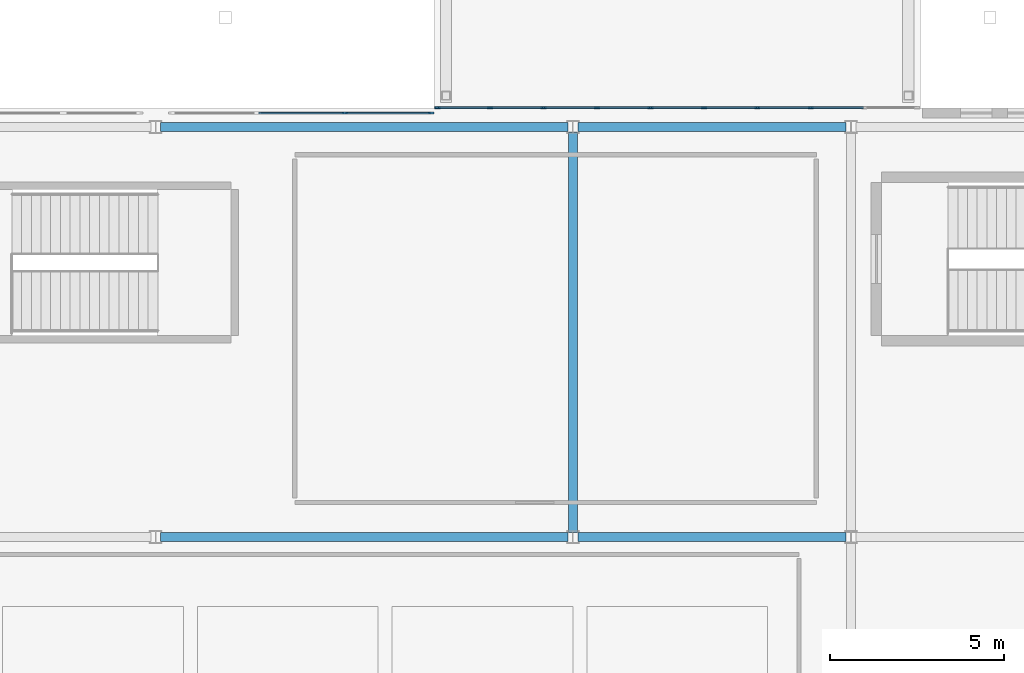
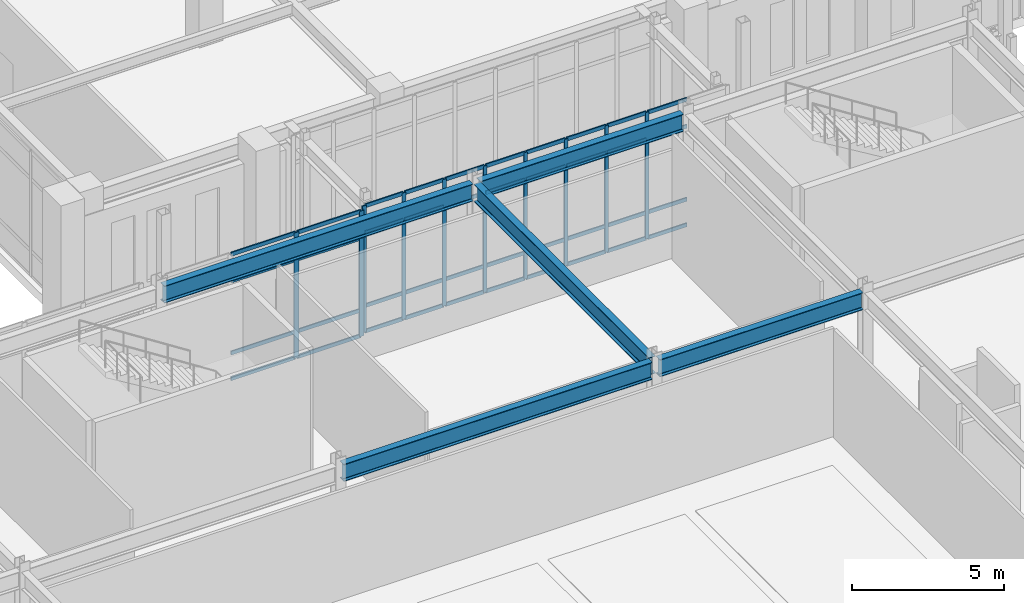
# One storey, part 76 of 159: 50 members, 5 beams, 2 elements without a shape of their own.
"""IFC4 building model written with IfcOpenShell, lengths in metres."""

from ifc_helpers import new_model, si_unit, derived_unit, direction, frame, origin, origin_2d, place, context, subcontext, project, spatial, rectangle, i_section, extrude, material, layer, layer_set, material_profile, profile_set, type_object, element, aggregate, save


model = new_model("IFC4")

# Units and contexts
model_context = context("Model", 3, precision=1e-05, world=origin(), true_north=direction((0.0, 1.0)))
body_context = subcontext(model_context, "Body", "Model", "MODEL_VIEW")
ifc_project = project(units=[si_unit("LENGTHUNIT", "METRE"), si_unit("AREAUNIT", "SQUARE_METRE"), si_unit("VOLUMEUNIT", "CUBIC_METRE"), si_unit("PLANEANGLEUNIT", "RADIAN"), si_unit("MASSUNIT", "GRAM", prefix="KILO"), derived_unit("THERMALTRANSMITTANCEUNIT", [(si_unit("MASSUNIT", "GRAM", prefix="KILO"), 1), (si_unit("TIMEUNIT", "SECOND"), -3), (si_unit("THERMODYNAMICTEMPERATUREUNIT", "KELVIN"), -1)])], contexts=[model_context])

# Site, building, storey
site_placement = place(None, origin())
site = spatial("IfcSite", under=ifc_project, at=site_placement, CompositionType="ELEMENT")
building_placement = place(site_placement, origin())
building = spatial("IfcBuilding", under=site, at=building_placement, Name="Valcora Ridge Arena", CompositionType="ELEMENT")
storey_placement = place(building_placement, frame((0.0, 0.0, 6.0)))
storey = spatial("IfcBuildingStorey", under=building, at=storey_placement, Name="L01", CompositionType="ELEMENT", Elevation=6.0)

# Beams
ifc_material_1 = material(Name="Steel ASTM A572 Grade 50", Category="steel")
ifc_material_profile_1 = material_profile(ifc_material_1, i_section(OverallWidth=0.256103515625, OverallDepth=0.693115234375, WebThickness=0.014404296875, FlangeThickness=0.023681640625, FilletRadius=0.02001953125, at=origin_2d()), Name="W27X114")
ifc_profile_set_1 = profile_set([ifc_material_profile_1], Name="Steel ASTM A572 Grade 50")
beam_type_1 = type_object("IfcBeamType", Name="TY-BEAM-G-W27X114-X", PredefinedType="BEAM", material=ifc_profile_set_1)
beam_1_placement = place(storey_placement, frame((156.139892578125, 66.0, 4.693603515625), z_axis=(1.0, 0.0, 0.0), x_axis=(0.0, 1.0, 0.0)))
element("IfcBeam", 1, at=beam_1_placement, inside=storey, type_object=beam_type_1, Name="G-W27X114-X BEM-G-W27X114-X-0035", PredefinedType="BEAM", context=body_context, shape_type="SweptSolid", body=[
    extrude(i_section(OverallWidth=0.256103515625, OverallDepth=0.693115234375, WebThickness=0.014404296875, FlangeThickness=0.023681640625, FilletRadius=0.02001953125, at=origin_2d()), origin(), (0.0, 0.0, 1.0), 11.72021484375),
])
beam_2_placement = place(storey_placement, frame((168.139892578125, 66.0, 4.693603515625), z_axis=(1.0, 0.0, 0.0), x_axis=(0.0, 1.0, 0.0)))
element("IfcBeam", 2, at=beam_2_placement, inside=storey, type_object=beam_type_1, Name="G-W27X114-X BEM-G-W27X114-X-0036", PredefinedType="BEAM", context=body_context, shape_type="SweptSolid", body=[
    extrude(i_section(OverallWidth=0.256103515625, OverallDepth=0.693115234375, WebThickness=0.014404296875, FlangeThickness=0.023681640625, FilletRadius=0.02001953125, at=origin_2d()), origin(), (0.0, 0.0, 1.0), 7.72021484375),
])
ifc_material_profile_2 = material_profile(ifc_material_1, i_section(OverallWidth=0.256103515625, OverallDepth=0.693115234375, WebThickness=0.014404296875, FlangeThickness=0.023681640625, FilletRadius=0.02001953125, at=origin_2d()), Name="W27X114")
ifc_profile_set_2 = profile_set([ifc_material_profile_2], Name="Steel ASTM A572 Grade 50")
beam_type_2 = type_object("IfcBeamType", Name="TY-BEAM-G-W27X114-Y", PredefinedType="BEAM", material=ifc_profile_set_2)
beam_3_placement = place(storey_placement, frame((168.0, 66.139892578125, 4.693603515625), z_axis=(0.0, 1.0, 0.0), x_axis=(-1.0, 0.0, 0.0)))
element("IfcBeam", 3, at=beam_3_placement, inside=storey, type_object=beam_type_2, Name="G-W27X114-Y BEM-G-W27X114-Y-0048", PredefinedType="BEAM", context=body_context, shape_type="SweptSolid", body=[
    extrude(i_section(OverallWidth=0.256103515625, OverallDepth=0.693115234375, WebThickness=0.014404296875, FlangeThickness=0.023681640625, FilletRadius=0.02001953125, at=origin_2d()), origin(), (0.0, 0.0, 1.0), 11.52001953125),
])
ifc_material_profile_3 = material_profile(ifc_material_1, i_section(OverallWidth=0.256103515625, OverallDepth=0.693115234375, WebThickness=0.014404296875, FlangeThickness=0.023681640625, FilletRadius=0.02001953125, at=origin_2d()), Name="W27X114")
ifc_profile_set_3 = profile_set([ifc_material_profile_3], Name="Steel ASTM A572 Grade 50")
beam_type_3 = type_object("IfcBeamType", Name="TY-BEAM-SP-W27X114", PredefinedType="SPANDREL", material=ifc_profile_set_3)
beam_4_placement = place(storey_placement, frame((156.139892578125, 77.800048828125, 4.693603515625), z_axis=(1.0, 0.0, 0.0), x_axis=(0.0, 1.0, 0.0)))
element("IfcBeam", 4, at=beam_4_placement, inside=storey, type_object=beam_type_3, Name="SP-W27X114 BEM-SP-W27X114-0018", PredefinedType="SPANDREL", context=body_context, shape_type="SweptSolid", body=[
    extrude(i_section(OverallWidth=0.256103515625, OverallDepth=0.693115234375, WebThickness=0.014404296875, FlangeThickness=0.023681640625, FilletRadius=0.02001953125, at=origin_2d()), origin(), (0.0, 0.0, 1.0), 11.72021484375),
])
beam_5_placement = place(storey_placement, frame((168.139892578125, 77.800048828125, 4.693603515625), z_axis=(1.0, 0.0, 0.0), x_axis=(0.0, 1.0, 0.0)))
element("IfcBeam", 5, at=beam_5_placement, inside=storey, type_object=beam_type_3, Name="SP-W27X114 BEM-SP-W27X114-0019", PredefinedType="SPANDREL", context=body_context, shape_type="SweptSolid", body=[
    extrude(i_section(OverallWidth=0.256103515625, OverallDepth=0.693115234375, WebThickness=0.014404296875, FlangeThickness=0.023681640625, FilletRadius=0.02001953125, at=origin_2d()), origin(), (0.0, 0.0, 1.0), 7.72021484375),
])

# Curtain wall, members
ifc_material_2 = material(Name="Anodised dark bronze architectural aluminium 6063-T6", Category="aluminium")
ifc_layer_1 = layer(ifc_material_2, 0.14990234375, Name="Anodised dark bronze architectural aluminium 6063-T6")
ifc_layer_set_1 = layer_set([ifc_layer_1], Name="Anodised dark bronze architectural aluminium 6063-T6")
curtain_wall_type_1 = type_object("IfcCurtainWallType", Name="TY-CURTAINWALL-CW-BRG-138X51", PredefinedType="NOTDEFINED", material=ifc_layer_set_1)
curtain_wall_1_placement = place(storey_placement, origin())
curtain_wall_1 = element("IfcCurtainWall", 6, at=curtain_wall_1_placement, inside=storey, type_object=curtain_wall_type_1, Name="CW-BRG-138X51 CW-0356", PredefinedType="NOTDEFINED")
ifc_material_profile_4 = material_profile(ifc_material_2, rectangle(XDim=0.050048828125, YDim=0.14990234375, at=origin_2d()), Name="ALU MULLION 50x150")
ifc_profile_set_4 = profile_set([ifc_material_profile_4], Name="Anodised dark bronze architectural aluminium 6063-T6")
member_type_1 = type_object("IfcMemberType", Name="TY-MEM-CWM-50x150", PredefinedType="MULLION", material=ifc_profile_set_4)
member_1_placement = place(storey_placement, frame((164.10498046875, 78.35009765625, 0.0), z_axis=(0.0, 0.0, 1.0), x_axis=(0.0, 1.0, 0.0)))
member_1 = element("IfcMember", 7, at=member_1_placement, type_object=member_type_1, Name="CW-0356/CWM-50x150/M00", PredefinedType="MULLION", context=body_context, shape_type="SweptSolid", body=[
    extrude(rectangle(XDim=0.050048828125, YDim=0.14990234375, at=origin_2d()), origin(), (0.0, 0.0, 1.0), 5.080078125),
])
member_2_placement = place(storey_placement, frame((165.617919921875, 78.35009765625, 0.0), z_axis=(0.0, 0.0, 1.0), x_axis=(0.0, 1.0, 0.0)))
member_2 = element("IfcMember", 8, at=member_2_placement, type_object=member_type_1, Name="CW-0356/CWM-50x150/M01", PredefinedType="MULLION", context=body_context, shape_type="SweptSolid", body=[
    extrude(rectangle(XDim=0.050048828125, YDim=0.14990234375, at=origin_2d()), origin(), (0.0, 0.0, 1.0), 5.080078125),
])
member_3_placement = place(storey_placement, frame((167.155517578125, 78.35009765625, 0.0), z_axis=(0.0, 0.0, 1.0), x_axis=(0.0, 1.0, 0.0)))
member_3 = element("IfcMember", 9, at=member_3_placement, type_object=member_type_1, Name="CW-0356/CWM-50x150/M02", PredefinedType="MULLION", context=body_context, shape_type="SweptSolid", body=[
    extrude(rectangle(XDim=0.050048828125, YDim=0.14990234375, at=origin_2d()), origin(), (0.0, 0.0, 1.0), 5.080078125),
])
member_4_placement = place(storey_placement, frame((168.693359375, 78.35009765625, 0.0), z_axis=(0.0, 0.0, 1.0), x_axis=(0.0, 1.0, 0.0)))
member_4 = element("IfcMember", 10, at=member_4_placement, type_object=member_type_1, Name="CW-0356/CWM-50x150/M03", PredefinedType="MULLION", context=body_context, shape_type="SweptSolid", body=[
    extrude(rectangle(XDim=0.050048828125, YDim=0.14990234375, at=origin_2d()), origin(), (0.0, 0.0, 1.0), 5.080078125),
])
member_5_placement = place(storey_placement, frame((170.231201171875, 78.35009765625, 0.0), z_axis=(0.0, 0.0, 1.0), x_axis=(0.0, 1.0, 0.0)))
member_5 = element("IfcMember", 11, at=member_5_placement, type_object=member_type_1, Name="CW-0356/CWM-50x150/M04", PredefinedType="MULLION", context=body_context, shape_type="SweptSolid", body=[
    extrude(rectangle(XDim=0.050048828125, YDim=0.14990234375, at=origin_2d()), origin(), (0.0, 0.0, 1.0), 5.080078125),
])
member_6_placement = place(storey_placement, frame((171.768798828125, 78.35009765625, 0.0), z_axis=(0.0, 0.0, 1.0), x_axis=(0.0, 1.0, 0.0)))
member_6 = element("IfcMember", 12, at=member_6_placement, type_object=member_type_1, Name="CW-0356/CWM-50x150/M05", PredefinedType="MULLION", context=body_context, shape_type="SweptSolid", body=[
    extrude(rectangle(XDim=0.050048828125, YDim=0.14990234375, at=origin_2d()), origin(), (0.0, 0.0, 1.0), 5.080078125),
])
member_7_placement = place(storey_placement, frame((173.306640625, 78.35009765625, 0.0), z_axis=(0.0, 0.0, 1.0), x_axis=(0.0, 1.0, 0.0)))
member_7 = element("IfcMember", 13, at=member_7_placement, type_object=member_type_1, Name="CW-0356/CWM-50x150/M06", PredefinedType="MULLION", context=body_context, shape_type="SweptSolid", body=[
    extrude(rectangle(XDim=0.050048828125, YDim=0.14990234375, at=origin_2d()), origin(), (0.0, 0.0, 1.0), 5.080078125),
])
member_8_placement = place(storey_placement, frame((174.844482421875, 78.35009765625, 0.0), z_axis=(0.0, 0.0, 1.0), x_axis=(0.0, 1.0, 0.0)))
member_8 = element("IfcMember", 14, at=member_8_placement, type_object=member_type_1, Name="CW-0356/CWM-50x150/M07", PredefinedType="MULLION", context=body_context, shape_type="SweptSolid", body=[
    extrude(rectangle(XDim=0.050048828125, YDim=0.14990234375, at=origin_2d()), origin(), (0.0, 0.0, 1.0), 5.080078125),
])

ifc_layer_2 = layer(ifc_material_2, 0.179931640625, Name="Anodised dark bronze architectural aluminium 6063-T6")
ifc_layer_set_2 = layer_set([ifc_layer_2], Name="Anodised dark bronze architectural aluminium 6063-T6")
curtain_wall_type_2 = type_object("IfcCurtainWallType", Name="TY-CURTAINWALL-CW-V2-GLAZ-075X50", PredefinedType="NOTDEFINED", material=ifc_layer_set_2)
curtain_wall_2_placement = place(storey_placement, origin())
curtain_wall_2 = element("IfcCurtainWall", 15, at=curtain_wall_2_placement, inside=storey, type_object=curtain_wall_type_2, Name="CW-V2-GLAZ-075X50 CW-0059", PredefinedType="NOTDEFINED")
ifc_material_profile_5 = material_profile(ifc_material_2, rectangle(XDim=0.06005859375, YDim=0.179931640625, at=origin_2d()), Name="ALU MULLION 60x180")
ifc_profile_set_5 = profile_set([ifc_material_profile_5], Name="Anodised dark bronze architectural aluminium 6063-T6")
member_type_2 = type_object("IfcMemberType", Name="TY-MEM-CWM-60x180", PredefinedType="MULLION", material=ifc_profile_set_5)
member_9_placement = place(storey_placement, frame((161.4423828125, 78.199951171875, 0.0), z_axis=(0.0, 0.0, 1.0), x_axis=(0.0, 1.0, 0.0)))
member_9 = element("IfcMember", 16, at=member_9_placement, type_object=member_type_2, Name="CW-0059/CWM-60x180/M02", PredefinedType="MULLION", context=body_context, shape_type="SweptSolid", body=[
    extrude(rectangle(XDim=0.06005859375, YDim=0.179931640625, at=origin_2d()), origin(), (0.0, 0.0, 1.0), 5.0400390625),
])
member_10_placement = place(storey_placement, frame((163.919921875, 78.199951171875, 0.0), z_axis=(0.0, 0.0, 1.0), x_axis=(0.0, 1.0, 0.0)))
member_10 = element("IfcMember", 17, at=member_10_placement, type_object=member_type_2, Name="CW-0059/CWM-60x180/M03", PredefinedType="MULLION", context=body_context, shape_type="SweptSolid", body=[
    extrude(rectangle(XDim=0.06005859375, YDim=0.179931640625, at=origin_2d()), origin(), (0.0, 0.0, 1.0), 5.0400390625),
])
ifc_material_profile_6 = material_profile(ifc_material_2, rectangle(XDim=0.050048828125, YDim=0.14990234375, at=origin_2d()), Name="ALU TRANSOM 50x150")
ifc_profile_set_6 = profile_set([ifc_material_profile_6], Name="Anodised dark bronze architectural aluminium 6063-T6")
member_type_3 = type_object("IfcMemberType", Name="TY-MEM-CWT-50x150", PredefinedType="USERDEFINED", material=ifc_profile_set_6)
member_11_placement = place(storey_placement, frame((158.965087890625, 78.199951171875, 0.02490234375), z_axis=(1.0, 0.0, 0.0), x_axis=(0.0, 1.0, 0.0)))
member_11 = element("IfcMember", 18, at=member_11_placement, type_object=member_type_3, Name="CW-0059/CWT-50x150/T01-00", ObjectType="TRANSOM", PredefinedType="USERDEFINED", context=body_context, shape_type="SweptSolid", body=[
    extrude(rectangle(XDim=0.050048828125, YDim=0.14990234375, at=origin_2d()), origin(), (0.0, 0.0, 1.0), 2.447021484375),
])
member_12_placement = place(storey_placement, frame((158.965087890625, 78.199951171875, 1.050048828125), z_axis=(1.0, 0.0, 0.0), x_axis=(0.0, 1.0, 0.0)))
member_12 = element("IfcMember", 19, at=member_12_placement, type_object=member_type_3, Name="CW-0059/CWT-50x150/T01-01", ObjectType="TRANSOM", PredefinedType="USERDEFINED", context=body_context, shape_type="SweptSolid", body=[
    extrude(rectangle(XDim=0.050048828125, YDim=0.14990234375, at=origin_2d()), origin(), (0.0, 0.0, 1.0), 2.447021484375),
])
member_13_placement = place(storey_placement, frame((158.965087890625, 78.199951171875, 3.93994140625), z_axis=(1.0, 0.0, 0.0), x_axis=(0.0, 1.0, 0.0)))
member_13 = element("IfcMember", 20, at=member_13_placement, type_object=member_type_3, Name="CW-0059/CWT-50x150/T01-02", ObjectType="TRANSOM", PredefinedType="USERDEFINED", context=body_context, shape_type="SweptSolid", body=[
    extrude(rectangle(XDim=0.050048828125, YDim=0.14990234375, at=origin_2d()), origin(), (0.0, 0.0, 1.0), 2.447021484375),
])
member_14_placement = place(storey_placement, frame((158.965087890625, 78.199951171875, 5.014892578125), z_axis=(1.0, 0.0, 0.0), x_axis=(0.0, 1.0, 0.0)))
member_14 = element("IfcMember", 21, at=member_14_placement, type_object=member_type_3, Name="CW-0059/CWT-50x150/T01-03", ObjectType="TRANSOM", PredefinedType="USERDEFINED", context=body_context, shape_type="SweptSolid", body=[
    extrude(rectangle(XDim=0.050048828125, YDim=0.14990234375, at=origin_2d()), origin(), (0.0, 0.0, 1.0), 2.447021484375),
])
member_15_placement = place(storey_placement, frame((161.471923828125, 78.199951171875, 0.02490234375), z_axis=(1.0, 0.0, 0.0), x_axis=(0.0, 1.0, 0.0)))
member_15 = element("IfcMember", 22, at=member_15_placement, type_object=member_type_3, Name="CW-0059/CWT-50x150/T02-00", ObjectType="TRANSOM", PredefinedType="USERDEFINED", context=body_context, shape_type="SweptSolid", body=[
    extrude(rectangle(XDim=0.050048828125, YDim=0.14990234375, at=origin_2d()), origin(), (0.0, 0.0, 1.0), 2.41796875),
])
member_16_placement = place(storey_placement, frame((161.471923828125, 78.199951171875, 1.050048828125), z_axis=(1.0, 0.0, 0.0), x_axis=(0.0, 1.0, 0.0)))
member_16 = element("IfcMember", 23, at=member_16_placement, type_object=member_type_3, Name="CW-0059/CWT-50x150/T02-01", ObjectType="TRANSOM", PredefinedType="USERDEFINED", context=body_context, shape_type="SweptSolid", body=[
    extrude(rectangle(XDim=0.050048828125, YDim=0.14990234375, at=origin_2d()), origin(), (0.0, 0.0, 1.0), 2.41796875),
])
member_17_placement = place(storey_placement, frame((161.471923828125, 78.199951171875, 3.93994140625), z_axis=(1.0, 0.0, 0.0), x_axis=(0.0, 1.0, 0.0)))
member_17 = element("IfcMember", 24, at=member_17_placement, type_object=member_type_3, Name="CW-0059/CWT-50x150/T02-02", ObjectType="TRANSOM", PredefinedType="USERDEFINED", context=body_context, shape_type="SweptSolid", body=[
    extrude(rectangle(XDim=0.050048828125, YDim=0.14990234375, at=origin_2d()), origin(), (0.0, 0.0, 1.0), 2.41796875),
])
member_18_placement = place(storey_placement, frame((161.471923828125, 78.199951171875, 5.014892578125), z_axis=(1.0, 0.0, 0.0), x_axis=(0.0, 1.0, 0.0)))
member_18 = element("IfcMember", 25, at=member_18_placement, type_object=member_type_3, Name="CW-0059/CWT-50x150/T02-03", ObjectType="TRANSOM", PredefinedType="USERDEFINED", context=body_context, shape_type="SweptSolid", body=[
    extrude(rectangle(XDim=0.050048828125, YDim=0.14990234375, at=origin_2d()), origin(), (0.0, 0.0, 1.0), 2.41796875),
])
aggregate(curtain_wall_2, [member_9, member_10, member_11, member_12, member_13, member_14, member_15, member_16, member_17, member_18])

# Member
member_19_placement = place(storey_placement, frame((164.1298828125, 78.35009765625, 0.02490234375), z_axis=(1.0, 0.0, 0.0), x_axis=(0.0, 1.0, 0.0)))
member_19 = element("IfcMember", 26, at=member_19_placement, type_object=member_type_3, Name="CW-0356/CWT-50x150/T00-00", ObjectType="TRANSOM", PredefinedType="USERDEFINED", context=body_context, shape_type="SweptSolid", body=[
    extrude(rectangle(XDim=0.050048828125, YDim=0.14990234375, at=origin_2d()), origin(), (0.0, 0.0, 1.0), 1.463134765625),
])

member_20_placement = place(storey_placement, frame((164.1298828125, 78.35009765625, 1.050048828125), z_axis=(1.0, 0.0, 0.0), x_axis=(0.0, 1.0, 0.0)))
member_20 = element("IfcMember", 27, at=member_20_placement, type_object=member_type_3, Name="CW-0356/CWT-50x150/T00-01", ObjectType="TRANSOM", PredefinedType="USERDEFINED", context=body_context, shape_type="SweptSolid", body=[
    extrude(rectangle(XDim=0.050048828125, YDim=0.14990234375, at=origin_2d()), origin(), (0.0, 0.0, 1.0), 1.463134765625),
])

member_21_placement = place(storey_placement, frame((164.1298828125, 78.35009765625, 3.97998046875), z_axis=(1.0, 0.0, 0.0), x_axis=(0.0, 1.0, 0.0)))
member_21 = element("IfcMember", 28, at=member_21_placement, type_object=member_type_3, Name="CW-0356/CWT-50x150/T00-02", ObjectType="TRANSOM", PredefinedType="USERDEFINED", context=body_context, shape_type="SweptSolid", body=[
    extrude(rectangle(XDim=0.050048828125, YDim=0.14990234375, at=origin_2d()), origin(), (0.0, 0.0, 1.0), 1.463134765625),
])

member_22_placement = place(storey_placement, frame((164.1298828125, 78.35009765625, 5.054931640625), z_axis=(1.0, 0.0, 0.0), x_axis=(0.0, 1.0, 0.0)))
member_22 = element("IfcMember", 29, at=member_22_placement, type_object=member_type_3, Name="CW-0356/CWT-50x150/T00-03", ObjectType="TRANSOM", PredefinedType="USERDEFINED", context=body_context, shape_type="SweptSolid", body=[
    extrude(rectangle(XDim=0.050048828125, YDim=0.14990234375, at=origin_2d()), origin(), (0.0, 0.0, 1.0), 1.463134765625),
])

member_23_placement = place(storey_placement, frame((165.64306640625, 78.35009765625, 0.02490234375), z_axis=(1.0, 0.0, 0.0), x_axis=(0.0, 1.0, 0.0)))
member_23 = element("IfcMember", 30, at=member_23_placement, type_object=member_type_3, Name="CW-0356/CWT-50x150/T01-00", ObjectType="TRANSOM", PredefinedType="USERDEFINED", context=body_context, shape_type="SweptSolid", body=[
    extrude(rectangle(XDim=0.050048828125, YDim=0.14990234375, at=origin_2d()), origin(), (0.0, 0.0, 1.0), 1.488037109375),
])

member_24_placement = place(storey_placement, frame((165.64306640625, 78.35009765625, 1.050048828125), z_axis=(1.0, 0.0, 0.0), x_axis=(0.0, 1.0, 0.0)))
member_24 = element("IfcMember", 31, at=member_24_placement, type_object=member_type_3, Name="CW-0356/CWT-50x150/T01-01", ObjectType="TRANSOM", PredefinedType="USERDEFINED", context=body_context, shape_type="SweptSolid", body=[
    extrude(rectangle(XDim=0.050048828125, YDim=0.14990234375, at=origin_2d()), origin(), (0.0, 0.0, 1.0), 1.488037109375),
])

member_25_placement = place(storey_placement, frame((165.64306640625, 78.35009765625, 3.97998046875), z_axis=(1.0, 0.0, 0.0), x_axis=(0.0, 1.0, 0.0)))
member_25 = element("IfcMember", 32, at=member_25_placement, type_object=member_type_3, Name="CW-0356/CWT-50x150/T01-02", ObjectType="TRANSOM", PredefinedType="USERDEFINED", context=body_context, shape_type="SweptSolid", body=[
    extrude(rectangle(XDim=0.050048828125, YDim=0.14990234375, at=origin_2d()), origin(), (0.0, 0.0, 1.0), 1.488037109375),
])

member_26_placement = place(storey_placement, frame((165.64306640625, 78.35009765625, 5.054931640625), z_axis=(1.0, 0.0, 0.0), x_axis=(0.0, 1.0, 0.0)))
member_26 = element("IfcMember", 33, at=member_26_placement, type_object=member_type_3, Name="CW-0356/CWT-50x150/T01-03", ObjectType="TRANSOM", PredefinedType="USERDEFINED", context=body_context, shape_type="SweptSolid", body=[
    extrude(rectangle(XDim=0.050048828125, YDim=0.14990234375, at=origin_2d()), origin(), (0.0, 0.0, 1.0), 1.488037109375),
])

member_27_placement = place(storey_placement, frame((167.180908203125, 78.35009765625, 0.02490234375), z_axis=(1.0, 0.0, 0.0), x_axis=(0.0, 1.0, 0.0)))
member_27 = element("IfcMember", 34, at=member_27_placement, type_object=member_type_3, Name="CW-0356/CWT-50x150/T02-00", ObjectType="TRANSOM", PredefinedType="USERDEFINED", context=body_context, shape_type="SweptSolid", body=[
    extrude(rectangle(XDim=0.050048828125, YDim=0.14990234375, at=origin_2d()), origin(), (0.0, 0.0, 1.0), 1.487060546875),
])

member_28_placement = place(storey_placement, frame((167.180908203125, 78.35009765625, 1.050048828125), z_axis=(1.0, 0.0, 0.0), x_axis=(0.0, 1.0, 0.0)))
member_28 = element("IfcMember", 35, at=member_28_placement, type_object=member_type_3, Name="CW-0356/CWT-50x150/T02-01", ObjectType="TRANSOM", PredefinedType="USERDEFINED", context=body_context, shape_type="SweptSolid", body=[
    extrude(rectangle(XDim=0.050048828125, YDim=0.14990234375, at=origin_2d()), origin(), (0.0, 0.0, 1.0), 1.487060546875),
])

member_29_placement = place(storey_placement, frame((167.180908203125, 78.35009765625, 3.97998046875), z_axis=(1.0, 0.0, 0.0), x_axis=(0.0, 1.0, 0.0)))
member_29 = element("IfcMember", 36, at=member_29_placement, type_object=member_type_3, Name="CW-0356/CWT-50x150/T02-02", ObjectType="TRANSOM", PredefinedType="USERDEFINED", context=body_context, shape_type="SweptSolid", body=[
    extrude(rectangle(XDim=0.050048828125, YDim=0.14990234375, at=origin_2d()), origin(), (0.0, 0.0, 1.0), 1.487060546875),
])

member_30_placement = place(storey_placement, frame((167.180908203125, 78.35009765625, 5.054931640625), z_axis=(1.0, 0.0, 0.0), x_axis=(0.0, 1.0, 0.0)))
member_30 = element("IfcMember", 37, at=member_30_placement, type_object=member_type_3, Name="CW-0356/CWT-50x150/T02-03", ObjectType="TRANSOM", PredefinedType="USERDEFINED", context=body_context, shape_type="SweptSolid", body=[
    extrude(rectangle(XDim=0.050048828125, YDim=0.14990234375, at=origin_2d()), origin(), (0.0, 0.0, 1.0), 1.487060546875),
])

member_31_placement = place(storey_placement, frame((168.718017578125, 78.35009765625, 0.02490234375), z_axis=(1.0, 0.0, 0.0), x_axis=(0.0, 1.0, 0.0)))
member_31 = element("IfcMember", 38, at=member_31_placement, type_object=member_type_3, Name="CW-0356/CWT-50x150/T03-00", ObjectType="TRANSOM", PredefinedType="USERDEFINED", context=body_context, shape_type="SweptSolid", body=[
    extrude(rectangle(XDim=0.050048828125, YDim=0.14990234375, at=origin_2d()), origin(), (0.0, 0.0, 1.0), 1.488037109375),
])

member_32_placement = place(storey_placement, frame((168.718017578125, 78.35009765625, 1.050048828125), z_axis=(1.0, 0.0, 0.0), x_axis=(0.0, 1.0, 0.0)))
member_32 = element("IfcMember", 39, at=member_32_placement, type_object=member_type_3, Name="CW-0356/CWT-50x150/T03-01", ObjectType="TRANSOM", PredefinedType="USERDEFINED", context=body_context, shape_type="SweptSolid", body=[
    extrude(rectangle(XDim=0.050048828125, YDim=0.14990234375, at=origin_2d()), origin(), (0.0, 0.0, 1.0), 1.488037109375),
])

member_33_placement = place(storey_placement, frame((168.718017578125, 78.35009765625, 3.97998046875), z_axis=(1.0, 0.0, 0.0), x_axis=(0.0, 1.0, 0.0)))
member_33 = element("IfcMember", 40, at=member_33_placement, type_object=member_type_3, Name="CW-0356/CWT-50x150/T03-02", ObjectType="TRANSOM", PredefinedType="USERDEFINED", context=body_context, shape_type="SweptSolid", body=[
    extrude(rectangle(XDim=0.050048828125, YDim=0.14990234375, at=origin_2d()), origin(), (0.0, 0.0, 1.0), 1.488037109375),
])

member_34_placement = place(storey_placement, frame((168.718017578125, 78.35009765625, 5.054931640625), z_axis=(1.0, 0.0, 0.0), x_axis=(0.0, 1.0, 0.0)))
member_34 = element("IfcMember", 41, at=member_34_placement, type_object=member_type_3, Name="CW-0356/CWT-50x150/T03-03", ObjectType="TRANSOM", PredefinedType="USERDEFINED", context=body_context, shape_type="SweptSolid", body=[
    extrude(rectangle(XDim=0.050048828125, YDim=0.14990234375, at=origin_2d()), origin(), (0.0, 0.0, 1.0), 1.488037109375),
])

member_35_placement = place(storey_placement, frame((170.256103515625, 78.35009765625, 0.02490234375), z_axis=(1.0, 0.0, 0.0), x_axis=(0.0, 1.0, 0.0)))
member_35 = element("IfcMember", 42, at=member_35_placement, type_object=member_type_3, Name="CW-0356/CWT-50x150/T04-00", ObjectType="TRANSOM", PredefinedType="USERDEFINED", context=body_context, shape_type="SweptSolid", body=[
    extrude(rectangle(XDim=0.050048828125, YDim=0.14990234375, at=origin_2d()), origin(), (0.0, 0.0, 1.0), 1.48779296875),
])

member_36_placement = place(storey_placement, frame((170.256103515625, 78.35009765625, 1.050048828125), z_axis=(1.0, 0.0, 0.0), x_axis=(0.0, 1.0, 0.0)))
member_36 = element("IfcMember", 43, at=member_36_placement, type_object=member_type_3, Name="CW-0356/CWT-50x150/T04-01", ObjectType="TRANSOM", PredefinedType="USERDEFINED", context=body_context, shape_type="SweptSolid", body=[
    extrude(rectangle(XDim=0.050048828125, YDim=0.14990234375, at=origin_2d()), origin(), (0.0, 0.0, 1.0), 1.48779296875),
])

member_37_placement = place(storey_placement, frame((170.256103515625, 78.35009765625, 3.97998046875), z_axis=(1.0, 0.0, 0.0), x_axis=(0.0, 1.0, 0.0)))
member_37 = element("IfcMember", 44, at=member_37_placement, type_object=member_type_3, Name="CW-0356/CWT-50x150/T04-02", ObjectType="TRANSOM", PredefinedType="USERDEFINED", context=body_context, shape_type="SweptSolid", body=[
    extrude(rectangle(XDim=0.050048828125, YDim=0.14990234375, at=origin_2d()), origin(), (0.0, 0.0, 1.0), 1.48779296875),
])

member_38_placement = place(storey_placement, frame((170.256103515625, 78.35009765625, 5.054931640625), z_axis=(1.0, 0.0, 0.0), x_axis=(0.0, 1.0, 0.0)))
member_38 = element("IfcMember", 45, at=member_38_placement, type_object=member_type_3, Name="CW-0356/CWT-50x150/T04-03", ObjectType="TRANSOM", PredefinedType="USERDEFINED", context=body_context, shape_type="SweptSolid", body=[
    extrude(rectangle(XDim=0.050048828125, YDim=0.14990234375, at=origin_2d()), origin(), (0.0, 0.0, 1.0), 1.48779296875),
])

member_39_placement = place(storey_placement, frame((171.7939453125, 78.35009765625, 0.02490234375), z_axis=(1.0, 0.0, 0.0), x_axis=(0.0, 1.0, 0.0)))
member_39 = element("IfcMember", 46, at=member_39_placement, type_object=member_type_3, Name="CW-0356/CWT-50x150/T05-00", ObjectType="TRANSOM", PredefinedType="USERDEFINED", context=body_context, shape_type="SweptSolid", body=[
    extrude(rectangle(XDim=0.050048828125, YDim=0.14990234375, at=origin_2d()), origin(), (0.0, 0.0, 1.0), 1.488037109375),
])

member_40_placement = place(storey_placement, frame((171.7939453125, 78.35009765625, 1.050048828125), z_axis=(1.0, 0.0, 0.0), x_axis=(0.0, 1.0, 0.0)))
member_40 = element("IfcMember", 47, at=member_40_placement, type_object=member_type_3, Name="CW-0356/CWT-50x150/T05-01", ObjectType="TRANSOM", PredefinedType="USERDEFINED", context=body_context, shape_type="SweptSolid", body=[
    extrude(rectangle(XDim=0.050048828125, YDim=0.14990234375, at=origin_2d()), origin(), (0.0, 0.0, 1.0), 1.488037109375),
])

member_41_placement = place(storey_placement, frame((171.7939453125, 78.35009765625, 3.97998046875), z_axis=(1.0, 0.0, 0.0), x_axis=(0.0, 1.0, 0.0)))
member_41 = element("IfcMember", 48, at=member_41_placement, type_object=member_type_3, Name="CW-0356/CWT-50x150/T05-02", ObjectType="TRANSOM", PredefinedType="USERDEFINED", context=body_context, shape_type="SweptSolid", body=[
    extrude(rectangle(XDim=0.050048828125, YDim=0.14990234375, at=origin_2d()), origin(), (0.0, 0.0, 1.0), 1.488037109375),
])

member_42_placement = place(storey_placement, frame((171.7939453125, 78.35009765625, 5.054931640625), z_axis=(1.0, 0.0, 0.0), x_axis=(0.0, 1.0, 0.0)))
member_42 = element("IfcMember", 49, at=member_42_placement, type_object=member_type_3, Name="CW-0356/CWT-50x150/T05-03", ObjectType="TRANSOM", PredefinedType="USERDEFINED", context=body_context, shape_type="SweptSolid", body=[
    extrude(rectangle(XDim=0.050048828125, YDim=0.14990234375, at=origin_2d()), origin(), (0.0, 0.0, 1.0), 1.488037109375),
])

member_43_placement = place(storey_placement, frame((173.33203125, 78.35009765625, 0.02490234375), z_axis=(1.0, 0.0, 0.0), x_axis=(0.0, 1.0, 0.0)))
member_43 = element("IfcMember", 50, at=member_43_placement, type_object=member_type_3, Name="CW-0356/CWT-50x150/T06-00", ObjectType="TRANSOM", PredefinedType="USERDEFINED", context=body_context, shape_type="SweptSolid", body=[
    extrude(rectangle(XDim=0.050048828125, YDim=0.14990234375, at=origin_2d()), origin(), (0.0, 0.0, 1.0), 1.487060546875),
])

member_44_placement = place(storey_placement, frame((173.33203125, 78.35009765625, 1.050048828125), z_axis=(1.0, 0.0, 0.0), x_axis=(0.0, 1.0, 0.0)))
member_44 = element("IfcMember", 51, at=member_44_placement, type_object=member_type_3, Name="CW-0356/CWT-50x150/T06-01", ObjectType="TRANSOM", PredefinedType="USERDEFINED", context=body_context, shape_type="SweptSolid", body=[
    extrude(rectangle(XDim=0.050048828125, YDim=0.14990234375, at=origin_2d()), origin(), (0.0, 0.0, 1.0), 1.487060546875),
])

member_45_placement = place(storey_placement, frame((173.33203125, 78.35009765625, 3.97998046875), z_axis=(1.0, 0.0, 0.0), x_axis=(0.0, 1.0, 0.0)))
member_45 = element("IfcMember", 52, at=member_45_placement, type_object=member_type_3, Name="CW-0356/CWT-50x150/T06-02", ObjectType="TRANSOM", PredefinedType="USERDEFINED", context=body_context, shape_type="SweptSolid", body=[
    extrude(rectangle(XDim=0.050048828125, YDim=0.14990234375, at=origin_2d()), origin(), (0.0, 0.0, 1.0), 1.487060546875),
])

member_46_placement = place(storey_placement, frame((173.33203125, 78.35009765625, 5.054931640625), z_axis=(1.0, 0.0, 0.0), x_axis=(0.0, 1.0, 0.0)))
member_46 = element("IfcMember", 53, at=member_46_placement, type_object=member_type_3, Name="CW-0356/CWT-50x150/T06-03", ObjectType="TRANSOM", PredefinedType="USERDEFINED", context=body_context, shape_type="SweptSolid", body=[
    extrude(rectangle(XDim=0.050048828125, YDim=0.14990234375, at=origin_2d()), origin(), (0.0, 0.0, 1.0), 1.487060546875),
])

member_47_placement = place(storey_placement, frame((174.868896484375, 78.35009765625, 0.02490234375), z_axis=(1.0, 0.0, 0.0), x_axis=(0.0, 1.0, 0.0)))
member_47 = element("IfcMember", 54, at=member_47_placement, type_object=member_type_3, Name="CW-0356/CWT-50x150/T07-00", ObjectType="TRANSOM", PredefinedType="USERDEFINED", context=body_context, shape_type="SweptSolid", body=[
    extrude(rectangle(XDim=0.050048828125, YDim=0.14990234375, at=origin_2d()), origin(), (0.0, 0.0, 1.0), 1.488037109375),
])

member_48_placement = place(storey_placement, frame((174.868896484375, 78.35009765625, 1.050048828125), z_axis=(1.0, 0.0, 0.0), x_axis=(0.0, 1.0, 0.0)))
member_48 = element("IfcMember", 55, at=member_48_placement, type_object=member_type_3, Name="CW-0356/CWT-50x150/T07-01", ObjectType="TRANSOM", PredefinedType="USERDEFINED", context=body_context, shape_type="SweptSolid", body=[
    extrude(rectangle(XDim=0.050048828125, YDim=0.14990234375, at=origin_2d()), origin(), (0.0, 0.0, 1.0), 1.488037109375),
])

member_49_placement = place(storey_placement, frame((174.868896484375, 78.35009765625, 3.97998046875), z_axis=(1.0, 0.0, 0.0), x_axis=(0.0, 1.0, 0.0)))
member_49 = element("IfcMember", 56, at=member_49_placement, type_object=member_type_3, Name="CW-0356/CWT-50x150/T07-02", ObjectType="TRANSOM", PredefinedType="USERDEFINED", context=body_context, shape_type="SweptSolid", body=[
    extrude(rectangle(XDim=0.050048828125, YDim=0.14990234375, at=origin_2d()), origin(), (0.0, 0.0, 1.0), 1.488037109375),
])

member_50_placement = place(storey_placement, frame((174.868896484375, 78.35009765625, 5.054931640625), z_axis=(1.0, 0.0, 0.0), x_axis=(0.0, 1.0, 0.0)))
member_50 = element("IfcMember", 57, at=member_50_placement, type_object=member_type_3, Name="CW-0356/CWT-50x150/T07-03", ObjectType="TRANSOM", PredefinedType="USERDEFINED", context=body_context, shape_type="SweptSolid", body=[
    extrude(rectangle(XDim=0.050048828125, YDim=0.14990234375, at=origin_2d()), origin(), (0.0, 0.0, 1.0), 1.488037109375),
])

aggregate(curtain_wall_1, [member_1, member_2, member_3, member_4, member_5, member_6, member_7, member_8, member_19, member_20, member_21, member_22, member_23, member_24, member_25, member_26, member_27, member_28, member_29, member_30, member_31, member_32, member_33, member_34, member_35, member_36, member_37, member_38, member_39, member_40, member_41, member_42, member_43, member_44, member_45, member_46, member_47, member_48, member_49, member_50])

save(model, "model.ifc")
